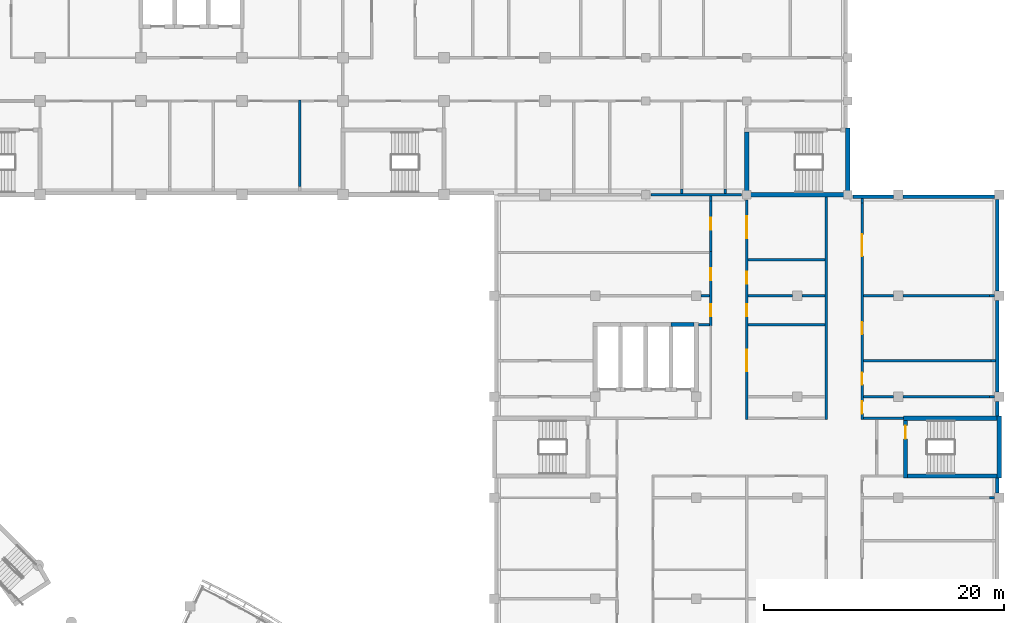
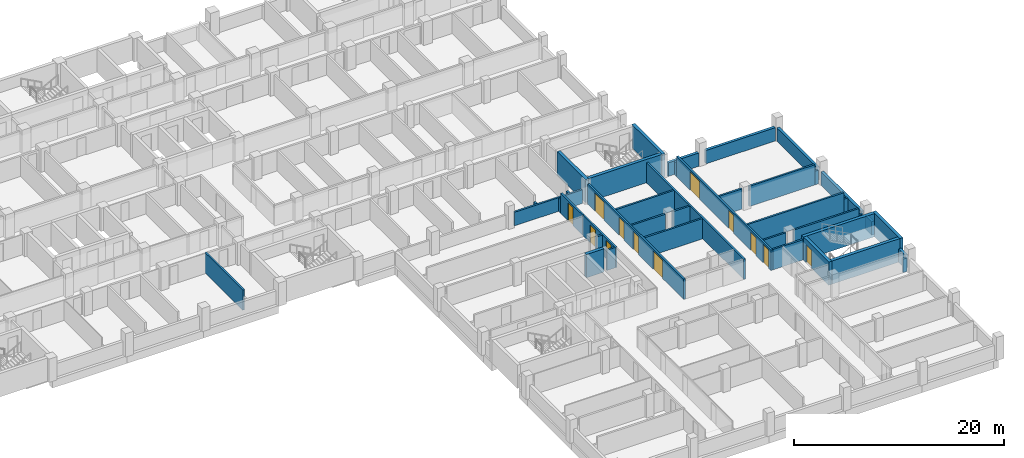
# One storey, part 57 of 89: 41 walls, 12 doors, 12 openings.
"""IFC4 building model written with IfcOpenShell, lengths in metres."""

from ifc_helpers import new_model, si_unit, direction, frame, frame_2d, origin, place, context, subcontext, project, spatial, rectangle, extrude, material, layer, layer_set, type_object, element, fill, save


model = new_model("IFC4")

# Units and contexts
model_context = context("Model", 3, precision=1e-05, world=origin(), true_north=direction((0.0, 1.0)))
body_context = subcontext(model_context, "Body", "Model", "MODEL_VIEW")
ifc_project = project(units=[si_unit("LENGTHUNIT", "METRE"), si_unit("AREAUNIT", "SQUARE_METRE"), si_unit("VOLUMEUNIT", "CUBIC_METRE"), si_unit("PLANEANGLEUNIT", "RADIAN"), si_unit("MASSUNIT", "GRAM", prefix="KILO")], contexts=[model_context])

# Site, building, storey
site_placement = place(None, origin())
site = spatial("IfcSite", under=ifc_project, at=site_placement, CompositionType="ELEMENT")
building_placement = place(site_placement, origin())
building = spatial("IfcBuilding", under=site, at=building_placement, Name="Bougainvillea Quay General Hospital", CompositionType="ELEMENT")
storey_placement = place(building_placement, frame((0.0, 0.0, 9.89990234375)))
storey = spatial("IfcBuildingStorey", under=building, at=storey_placement, Name="L01M", CompositionType="ELEMENT", Elevation=9.89990234375)

# Walls
ifc_material_1 = material(Name="Pale stone rainscreen cladding on insulated masonry backing, pale stone", Category="masonry")
ifc_layer_1 = layer(ifc_material_1, 0.300048828125)
ifc_layer_set_1 = layer_set([ifc_layer_1], Name="Pale stone rainscreen cladding on insulated masonry backing, pale stone")
wall_type_1 = type_object("IfcWallType", Name="External wall pale stone rainscreen 300", PredefinedType="STANDARD", material=ifc_layer_set_1)
wall_1_placement = place(storey_placement, frame((205.64990234375, 101.199951171875, 0.0), z_axis=(0.0, 0.0, 1.0), x_axis=(0.0, 1.0, 0.0)))
element("IfcWall", 1, at=wall_1_placement, inside=storey, type_object=wall_type_1, Name="External wall wall/V3/L01M/p0/02e", PredefinedType="STANDARD", context=body_context, shape_type="SweptSolid", body=[
    extrude(rectangle(XDim=7.60009765625, YDim=0.300048828125, at=frame_2d((3.800048828125, 0.0))), origin(), (0.0, 0.0, 1.0), 1.550048828125),
])
for number, where, z_axis, x_axis, name in (
    (2, (205.64990234375, 109.60009765625, 0.0), (0.0, 0.0, 1.0), (0.0, 1.0, 0.0), "External wall wall/V3/L01M/p0/02f"),
    (3, (205.39990234375, 117.449951171875, 0.0), (0.0, 0.0, 1.0), (-1.0, 0.0, 0.0), "External wall wall/V3/L01M/p0/03a"),
):
    element("IfcWall", number, at=place(storey_placement, frame(where, z_axis=z_axis, x_axis=x_axis)), inside=storey, type_object=wall_type_1, Name=name, PredefinedType="STANDARD", context=body_context, shape_type="SweptSolid", body=[
        extrude(rectangle(XDim=7.599853515625, YDim=0.300048828125, at=frame_2d((3.7998046875, 0.0))), origin(), (0.0, 0.0, 1.0), 1.550048828125),
    ])
wall_2_placement = place(storey_placement, frame((197.0, 117.449951171875, 0.0), z_axis=(0.0, 0.0, 1.0), x_axis=(-1.0, 0.0, 0.0)))
element("IfcWall", 4, at=wall_2_placement, inside=storey, type_object=wall_type_1, Name="External wall wall/V3/L01M/p0/03b", PredefinedType="STANDARD", context=body_context, shape_type="SweptSolid", body=[
    extrude(rectangle(XDim=3.35009765625, YDim=0.300048828125, at=frame_2d((1.675048828125, 0.0))), origin(), (0.0, 0.0, 1.0), 1.550048828125),
])
ifc_material_2 = material(Name="Terracotta rainscreen cladding on insulated masonry backing, terracotta", Category="masonry")
ifc_layer_2 = layer(ifc_material_2, 0.300048828125)
ifc_layer_set_2 = layer_set([ifc_layer_2], Name="Terracotta rainscreen cladding on insulated masonry backing, terracotta")
wall_type_2 = type_object("IfcWallType", Name="External wall terracotta rainscreen 300", PredefinedType="STANDARD", material=ifc_layer_set_2)
for number, where, z_axis, x_axis, name in (
    (5, (205.64990234375, 92.800048828125, 0.0), (0.0, 0.0, 1.0), (0.0, 1.0, 0.0), "External wall wall/V3/L01M/p0/02c"),
    (6, (205.64990234375, 99.175048828125, 0.0), (0.0, 0.0, 1.0), (0.0, 1.0, 0.0), "External wall wall/V3/L01M/p0/02d"),
):
    element("IfcWall", number, at=place(storey_placement, frame(where, z_axis=z_axis, x_axis=x_axis)), inside=storey, type_object=wall_type_2, Name=name, PredefinedType="STANDARD", context=body_context, shape_type="SweptSolid", body=[
        extrude(rectangle(XDim=1.224853515625, YDim=0.300048828125, at=frame_2d((0.6123046875, 0.0))), origin(), (0.0, 0.0, 1.0), 1.550048828125),
    ])
ifc_material_3 = material(Name="Fire-rated autoclaved aerated block wall, plastered")
ifc_layer_3 = layer(ifc_material_3, 0.199951171875)
ifc_layer_set_3 = layer_set([ifc_layer_3], Name="Fire-rated autoclaved aerated block wall, plastered")
wall_type_3 = type_object("IfcWallType", Name="Partition 200 Fire-rated autoclaved aerated block wall EI 120", PredefinedType="SOLIDWALL", material=ifc_layer_set_3)
wall_3_placement = place(storey_placement, frame((184.35009765625, 117.60009765625, 0.0), z_axis=(0.0, 0.0, 1.0), x_axis=(-1.0, 0.0, 0.0)))
element("IfcWall", 7, at=wall_3_placement, inside=storey, type_object=wall_type_3, Name="Partition 200 mm EI 120", PredefinedType="SOLIDWALL", context=body_context, shape_type="SweptSolid", body=[
    extrude(rectangle(XDim=7.5, YDim=0.199951171875, at=frame_2d((3.75, 0.0))), origin(), (0.0, 0.0, 1.0), 1.580078125),
])

# Wall, openings, doors
wall_4_placement = place(storey_placement, frame((184.800048828125, 117.14990234375, 0.0), z_axis=(0.0, 0.0, 1.0), x_axis=(0.0, -1.0, 0.0)))
wall_4 = element("IfcWall", 8, at=wall_4_placement, inside=storey, type_object=wall_type_3, Name="Partition 200 mm EI 120", PredefinedType="SOLIDWALL", context=body_context, shape_type="SweptSolid", body=[
    extrude(rectangle(XDim=18.25, YDim=0.199951171875, at=frame_2d((9.125, 0.0))), origin(), (0.0, 0.0, 1.0), 2.35009765625),
])
opening_1_placement = place(wall_4_placement, frame((12.449951171875, 0.0, 0.0)))
opening_1 = element("IfcOpeningElement", 9, at=opening_1_placement, cuts=wall_4, Name="Opening L01M.074", PredefinedType="OPENING", context=body_context, shape_type="SweptSolid", body=[
    extrude(rectangle(XDim=1.800048828125, YDim=2.10009765625, at=frame_2d((0.89990234375, 1.050048828125))), frame((0.0, 0.10986328125, 0.0), z_axis=(0.0, -1.0, 0.0), x_axis=(1.0, 0.0, 0.0)), (0.0, 0.0, 1.0), 0.219970703125),
])
opening_2_placement = place(wall_4_placement, frame((8.64990234375, 0.0, 0.0)))
opening_2 = element("IfcOpeningElement", 10, at=opening_2_placement, cuts=wall_4, Name="Opening L01M.075", PredefinedType="OPENING", context=body_context, shape_type="SweptSolid", body=[
    extrude(rectangle(XDim=1.0, YDim=2.10009765625, at=frame_2d((0.5, 1.050048828125))), frame((0.0, 0.10986328125, 0.0), z_axis=(0.0, -1.0, 0.0), x_axis=(1.0, 0.0, 0.0)), (0.0, 0.0, 1.0), 0.219970703125),
])
opening_3_placement = place(wall_4_placement, frame((5.949951171875, 0.0, 0.0)))
opening_3 = element("IfcOpeningElement", 11, at=opening_3_placement, cuts=wall_4, Name="Opening L01M.076", PredefinedType="OPENING", context=body_context, shape_type="SweptSolid", body=[
    extrude(rectangle(XDim=1.0, YDim=2.10009765625, at=frame_2d((0.5, 1.050048828125))), frame((0.0, 0.10986328125, 0.0), z_axis=(0.0, -1.0, 0.0), x_axis=(1.0, 0.0, 0.0)), (0.0, 0.0, 1.0), 0.219970703125),
])
opening_4_placement = place(wall_4_placement, frame((1.35009765625, 0.0, 0.0)))
opening_4 = element("IfcOpeningElement", 12, at=opening_4_placement, cuts=wall_4, Name="Opening L01M.077", PredefinedType="OPENING", context=body_context, shape_type="SweptSolid", body=[
    extrude(rectangle(XDim=1.800048828125, YDim=2.10009765625, at=frame_2d((0.89990234375, 1.050048828125))), frame((0.0, 0.10986328125, 0.0), z_axis=(0.0, -1.0, 0.0), x_axis=(1.0, 0.0, 0.0)), (0.0, 0.0, 1.0), 0.219970703125),
])
ifc_material_4 = material(Name="Steel fire door leaves in steel frame", Category="steel")
door_type_1 = type_object("IfcDoorType", Name="Steel double leaf door 1800x2100 FD90", OperationType="DOUBLE_DOOR_SINGLE_SWING", PredefinedType="DOOR", material=ifc_material_4)
door_1_placement = place(opening_1_placement, origin())
door_1 = element("IfcDoor", 13, at=door_1_placement, inside=storey, type_object=door_type_1, Name="DT03 L01M.074", OperationType="DOUBLE_DOOR_SINGLE_SWING", OverallHeight=2.10009765625, OverallWidth=1.800048828125, PredefinedType="DOOR", context=body_context, shape_type="SweptSolid", body=[
    extrude(rectangle(XDim=1.800048828125, YDim=2.10009765625, at=frame_2d((0.89990234375, 1.050048828125))), frame((0.0, 0.02490234375, 0.0), z_axis=(0.0, -1.0, 0.0), x_axis=(1.0, 0.0, 0.0)), (0.0, 0.0, 1.0), 0.050048828125),
])
fill(opening_1, door_1)
door_2_placement = place(opening_4_placement, origin())
door_2 = element("IfcDoor", 14, at=door_2_placement, inside=storey, type_object=door_type_1, Name="DT03 L01M.077", OperationType="DOUBLE_DOOR_SINGLE_SWING", OverallHeight=2.10009765625, OverallWidth=1.800048828125, PredefinedType="DOOR", context=body_context, shape_type="SweptSolid", body=[
    extrude(rectangle(XDim=1.800048828125, YDim=2.10009765625, at=frame_2d((0.89990234375, 1.050048828125))), frame((0.0, 0.02490234375, 0.0), z_axis=(0.0, -1.0, 0.0), x_axis=(1.0, 0.0, 0.0)), (0.0, 0.0, 1.0), 0.050048828125),
])
fill(opening_4, door_2)
ifc_material_5 = material(Name="Steel fire door leaf in steel frame", Category="steel")
door_type_2 = type_object("IfcDoorType", Name="Steel single leaf door 1000x2100 FD90", OperationType="NOTDEFINED", PredefinedType="DOOR", material=ifc_material_5)
door_3_placement = place(opening_2_placement, origin())
door_3 = element("IfcDoor", 15, at=door_3_placement, inside=storey, type_object=door_type_2, Name="DT11 L01M.075", OperationType="SINGLE_SWING_RIGHT", OverallHeight=2.10009765625, OverallWidth=1.0, PredefinedType="DOOR", context=body_context, shape_type="SweptSolid", body=[
    extrude(rectangle(XDim=1.0, YDim=2.10009765625, at=frame_2d((0.5, 1.050048828125))), frame((0.0, 0.02490234375, 0.0), z_axis=(0.0, -1.0, 0.0), x_axis=(1.0, 0.0, 0.0)), (0.0, 0.0, 1.0), 0.050048828125),
])
fill(opening_2, door_3)
door_4_placement = place(opening_3_placement, origin())
door_4 = element("IfcDoor", 16, at=door_4_placement, inside=storey, type_object=door_type_2, Name="DT11 L01M.076", OperationType="SINGLE_SWING_LEFT", OverallHeight=2.10009765625, OverallWidth=1.0, PredefinedType="DOOR", context=body_context, shape_type="SweptSolid", body=[
    extrude(rectangle(XDim=1.0, YDim=2.10009765625, at=frame_2d((0.5, 1.050048828125))), frame((0.0, 0.02490234375, 0.0), z_axis=(0.0, -1.0, 0.0), x_axis=(1.0, 0.0, 0.0)), (0.0, 0.0, 1.0), 0.050048828125),
])
fill(opening_3, door_4)

# Walls
wall_5_placement = place(storey_placement, frame((191.39990234375, 117.425048828125, 0.0), z_axis=(0.0, 0.0, 1.0), x_axis=(0.0, -1.0, 0.0)))
element("IfcWall", 17, at=wall_5_placement, inside=storey, type_object=wall_type_3, Name="Partition 200 mm EI 120", PredefinedType="SOLIDWALL", context=body_context, shape_type="SweptSolid", body=[
    extrude(rectangle(XDim=18.525146484375, YDim=0.199951171875, at=frame_2d((9.2626953125, 0.0))), origin(), (0.0, 0.0, 1.0), 2.35009765625),
])
wall_6_placement = place(storey_placement, frame((194.39990234375, 117.300048828125, 0.0), z_axis=(0.0, 0.0, 1.0), x_axis=(0.0, -1.0, 0.0)))
element("IfcWall", 18, at=wall_6_placement, inside=storey, type_object=wall_type_3, Name="Partition 200 mm EI 120", PredefinedType="SOLIDWALL", context=body_context, shape_type="SweptSolid", body=[
    extrude(rectangle(XDim=0.400146484375, YDim=0.199951171875, at=frame_2d((0.2001953125, 0.0))), origin(), (0.0, 0.0, 1.0), 1.580078125),
])

# Wall, openings, doors
wall_7_placement = place(storey_placement, frame((194.39990234375, 116.89990234375, 0.0), z_axis=(0.0, 0.0, 1.0), x_axis=(0.0, -1.0, 0.0)))
wall_7 = element("IfcWall", 19, at=wall_7_placement, inside=storey, type_object=wall_type_3, Name="Partition 200 mm EI 120", PredefinedType="SOLIDWALL", context=body_context, shape_type="SweptSolid", body=[
    extrude(rectangle(XDim=18.0, YDim=0.199951171875, at=frame_2d((9.0, 0.0))), origin(), (0.0, 0.0, 1.0), 2.35009765625),
])
opening_5_placement = place(wall_7_placement, frame((16.5, 0.0, 0.0)))
opening_5 = element("IfcOpeningElement", 20, at=opening_5_placement, cuts=wall_7, Name="Opening L01M.078", PredefinedType="OPENING", context=body_context, shape_type="SweptSolid", body=[
    extrude(rectangle(XDim=1.0, YDim=2.10009765625, at=frame_2d((0.5, 1.050048828125))), frame((0.0, 0.10986328125, 0.0), z_axis=(0.0, -1.0, 0.0), x_axis=(1.0, 0.0, 0.0)), (0.0, 0.0, 1.0), 0.219970703125),
])
opening_6_placement = place(wall_7_placement, frame((14.10009765625, 0.0, 0.0)))
opening_6 = element("IfcOpeningElement", 21, at=opening_6_placement, cuts=wall_7, Name="Opening L01M.079", PredefinedType="OPENING", context=body_context, shape_type="SweptSolid", body=[
    extrude(rectangle(XDim=1.0, YDim=2.10009765625, at=frame_2d((0.5, 1.050048828125))), frame((0.0, 0.10986328125, 0.0), z_axis=(0.0, -1.0, 0.0), x_axis=(1.0, 0.0, 0.0)), (0.0, 0.0, 1.0), 0.219970703125),
])
opening_7_placement = place(wall_7_placement, frame((9.89990234375, 0.0, 0.0)))
opening_7 = element("IfcOpeningElement", 22, at=opening_7_placement, cuts=wall_7, Name="Opening L01M.080", PredefinedType="OPENING", context=body_context, shape_type="SweptSolid", body=[
    extrude(rectangle(XDim=1.0, YDim=2.10009765625, at=frame_2d((0.5, 1.050048828125))), frame((0.0, 0.10986328125, 0.0), z_axis=(0.0, -1.0, 0.0), x_axis=(1.0, 0.0, 0.0)), (0.0, 0.0, 1.0), 0.219970703125),
])
opening_8_placement = place(wall_7_placement, frame((2.60009765625, 0.0, 0.0)))
opening_8 = element("IfcOpeningElement", 23, at=opening_8_placement, cuts=wall_7, Name="Opening L01M.081", PredefinedType="OPENING", context=body_context, shape_type="SweptSolid", body=[
    extrude(rectangle(XDim=1.800048828125, YDim=2.10009765625, at=frame_2d((0.89990234375, 1.050048828125))), frame((0.0, 0.10986328125, 0.0), z_axis=(0.0, -1.0, 0.0), x_axis=(1.0, 0.0, 0.0)), (0.0, 0.0, 1.0), 0.219970703125),
])
door_5_placement = place(opening_8_placement, origin())
door_5 = element("IfcDoor", 24, at=door_5_placement, inside=storey, type_object=door_type_1, Name="DT03 L01M.081", OperationType="DOUBLE_DOOR_SINGLE_SWING", OverallHeight=2.10009765625, OverallWidth=1.800048828125, PredefinedType="DOOR", context=body_context, shape_type="SweptSolid", body=[
    extrude(rectangle(XDim=1.800048828125, YDim=2.10009765625, at=frame_2d((0.89990234375, 1.050048828125))), frame((0.0, 0.02490234375, 0.0), z_axis=(0.0, -1.0, 0.0), x_axis=(1.0, 0.0, 0.0)), (0.0, 0.0, 1.0), 0.050048828125),
])
fill(opening_8, door_5)
door_6_placement = place(opening_5_placement, origin())
door_6 = element("IfcDoor", 25, at=door_6_placement, inside=storey, type_object=door_type_2, Name="DT11 L01M.078", OperationType="SINGLE_SWING_RIGHT", OverallHeight=2.10009765625, OverallWidth=1.0, PredefinedType="DOOR", context=body_context, shape_type="SweptSolid", body=[
    extrude(rectangle(XDim=1.0, YDim=2.10009765625, at=frame_2d((0.5, 1.050048828125))), frame((0.0, 0.02490234375, 0.0), z_axis=(0.0, -1.0, 0.0), x_axis=(1.0, 0.0, 0.0)), (0.0, 0.0, 1.0), 0.050048828125),
])
fill(opening_5, door_6)
door_7_placement = place(opening_6_placement, origin())
door_7 = element("IfcDoor", 26, at=door_7_placement, inside=storey, type_object=door_type_2, Name="DT11 L01M.079", OperationType="SINGLE_SWING_RIGHT", OverallHeight=2.10009765625, OverallWidth=1.0, PredefinedType="DOOR", context=body_context, shape_type="SweptSolid", body=[
    extrude(rectangle(XDim=1.0, YDim=2.10009765625, at=frame_2d((0.5, 1.050048828125))), frame((0.0, 0.02490234375, 0.0), z_axis=(0.0, -1.0, 0.0), x_axis=(1.0, 0.0, 0.0)), (0.0, 0.0, 1.0), 0.050048828125),
])
fill(opening_6, door_7)
door_8_placement = place(opening_7_placement, origin())
door_8 = element("IfcDoor", 27, at=door_8_placement, inside=storey, type_object=door_type_2, Name="DT11 L01M.080", OperationType="SINGLE_SWING_RIGHT", OverallHeight=2.10009765625, OverallWidth=1.0, PredefinedType="DOOR", context=body_context, shape_type="SweptSolid", body=[
    extrude(rectangle(XDim=1.0, YDim=2.10009765625, at=frame_2d((0.5, 1.050048828125))), frame((0.0, 0.02490234375, 0.0), z_axis=(0.0, -1.0, 0.0), x_axis=(1.0, 0.0, 0.0)), (0.0, 0.0, 1.0), 0.050048828125),
])
fill(opening_7, door_8)

wall_8_placement = place(storey_placement, frame((181.800048828125, 106.699951171875, 0.0), z_axis=(0.0, 0.0, 1.0), x_axis=(0.0, 1.0, 0.0)))
wall_8 = element("IfcWall", 28, at=wall_8_placement, inside=storey, type_object=wall_type_3, Name="Partition 200 mm EI 120", PredefinedType="SOLIDWALL", context=body_context, shape_type="SweptSolid", body=[
    extrude(rectangle(XDim=6.197998046875, YDim=0.199951171875, at=frame_2d((3.09912109375, 0.0))), origin(), (0.0, 0.0, 1.0), 2.35009765625),
])
opening_9_placement = place(wall_8_placement, frame((0.800048828125, 0.0, 0.0)))
opening_9 = element("IfcOpeningElement", 29, at=opening_9_placement, cuts=wall_8, Name="Opening L01M.070", PredefinedType="OPENING", context=body_context, shape_type="SweptSolid", body=[
    extrude(rectangle(XDim=1.0, YDim=2.10009765625, at=frame_2d((0.5, 1.050048828125))), frame((0.0, 0.10986328125, 0.0), z_axis=(0.0, -1.0, 0.0), x_axis=(1.0, 0.0, 0.0)), (0.0, 0.0, 1.0), 0.219970703125),
])
opening_10_placement = place(wall_8_placement, frame((3.799072265625, 0.0, 0.0)))
opening_10 = element("IfcOpeningElement", 30, at=opening_10_placement, cuts=wall_8, Name="Opening L01M.071", PredefinedType="OPENING", context=body_context, shape_type="SweptSolid", body=[
    extrude(rectangle(XDim=1.0, YDim=2.10009765625, at=frame_2d((0.5, 1.050048828125))), frame((0.0, 0.10986328125, 0.0), z_axis=(0.0, -1.0, 0.0), x_axis=(1.0, 0.0, 0.0)), (0.0, 0.0, 1.0), 0.219970703125),
])
door_9_placement = place(opening_9_placement, origin())
door_9 = element("IfcDoor", 31, at=door_9_placement, inside=storey, type_object=door_type_2, Name="DT11 L01M.070", OperationType="SINGLE_SWING_LEFT", OverallHeight=2.10009765625, OverallWidth=1.0, PredefinedType="DOOR", context=body_context, shape_type="SweptSolid", body=[
    extrude(rectangle(XDim=1.0, YDim=2.10009765625, at=frame_2d((0.5, 1.050048828125))), frame((0.0, 0.02490234375, 0.0), z_axis=(0.0, -1.0, 0.0), x_axis=(1.0, 0.0, 0.0)), (0.0, 0.0, 1.0), 0.050048828125),
])
fill(opening_9, door_9)
door_10_placement = place(opening_10_placement, origin())
door_10 = element("IfcDoor", 32, at=door_10_placement, inside=storey, type_object=door_type_2, Name="DT11 L01M.071", OperationType="SINGLE_SWING_RIGHT", OverallHeight=2.10009765625, OverallWidth=1.0, PredefinedType="DOOR", context=body_context, shape_type="SweptSolid", body=[
    extrude(rectangle(XDim=1.0, YDim=2.10009765625, at=frame_2d((0.5, 1.050048828125))), frame((0.0, 0.02490234375, 0.0), z_axis=(0.0, -1.0, 0.0), x_axis=(1.0, 0.0, 0.0)), (0.0, 0.0, 1.0), 0.050048828125),
])
fill(opening_10, door_10)

# Walls
wall_9_placement = place(storey_placement, frame((181.0, 109.199951171875, 0.0), z_axis=(0.0, 0.0, 1.0), x_axis=(1.0, 0.0, 0.0)))
element("IfcWall", 33, at=wall_9_placement, inside=storey, type_object=wall_type_3, Name="Partition 200 mm EI 120", PredefinedType="SOLIDWALL", context=body_context, shape_type="SweptSolid", body=[
    extrude(rectangle(XDim=0.699951171875, YDim=0.199951171875, at=frame_2d((0.35009765625, 0.0))), origin(), (0.0, 0.0, 1.0), 2.35009765625),
])
wall_10_placement = place(storey_placement, frame((205.0, 92.39990234375, 0.0), z_axis=(0.0, 0.0, 1.0), x_axis=(1.0, 0.0, 0.0)))
element("IfcWall", 34, at=wall_10_placement, inside=storey, type_object=wall_type_3, Name="Partition 200 mm EI 120", PredefinedType="SOLIDWALL", context=body_context, shape_type="SweptSolid", body=[
    extrude(rectangle(XDim=0.39990234375, YDim=0.199951171875, at=frame_2d((0.199951171875, 0.0))), origin(), (0.0, 0.0, 1.0), 1.580078125),
])
wall_11_placement = place(storey_placement, frame((194.5, 100.800048828125, 0.0), z_axis=(0.0, 0.0, 1.0), x_axis=(1.0, 0.0, 0.0)))
element("IfcWall", 35, at=wall_11_placement, inside=storey, type_object=wall_type_3, Name="Partition 200 mm EI 120", PredefinedType="SOLIDWALL", context=body_context, shape_type="SweptSolid", body=[
    extrude(rectangle(XDim=2.5, YDim=0.199951171875, at=frame_2d((1.25, 0.0))), origin(), (0.0, 0.0, 1.0), 2.35009765625),
])
wall_12_placement = place(storey_placement, frame((197.800048828125, 100.800048828125, 0.0), z_axis=(0.0, 0.0, 1.0), x_axis=(1.0, 0.0, 0.0)))
element("IfcWall", 36, at=wall_12_placement, inside=storey, type_object=wall_type_3, Name="Partition 200 mm EI 120", PredefinedType="SOLIDWALL", context=body_context, shape_type="SweptSolid", body=[
    extrude(rectangle(XDim=7.199951171875, YDim=0.199951171875, at=frame_2d((3.60009765625, 0.0))), origin(), (0.0, 0.0, 1.0), 2.35009765625),
])
wall_13_placement = place(storey_placement, frame((205.0, 100.800048828125, 0.0), z_axis=(0.0, 0.0, 1.0), x_axis=(1.0, 0.0, 0.0)))
element("IfcWall", 37, at=wall_13_placement, inside=storey, type_object=wall_type_3, Name="Partition 200 mm EI 120", PredefinedType="SOLIDWALL", context=body_context, shape_type="SweptSolid", body=[
    extrude(rectangle(XDim=0.39990234375, YDim=0.199951171875, at=frame_2d((0.199951171875, 0.0))), origin(), (0.0, 0.0, 1.0), 1.580078125),
])
wall_14_placement = place(storey_placement, frame((194.5, 103.800048828125, 0.0), z_axis=(0.0, 0.0, 1.0), x_axis=(1.0, 0.0, 0.0)))
element("IfcWall", 38, at=wall_14_placement, inside=storey, type_object=wall_type_3, Name="Partition 200 mm EI 120", PredefinedType="SOLIDWALL", context=body_context, shape_type="SweptSolid", body=[
    extrude(rectangle(XDim=10.60009765625, YDim=0.199951171875, at=frame_2d((5.300048828125, 0.0))), origin(), (0.0, 0.0, 1.0), 2.35009765625),
])
wall_15_placement = place(storey_placement, frame((205.10009765625, 103.800048828125, 0.0), z_axis=(0.0, 0.0, 1.0), x_axis=(1.0, 0.0, 0.0)))
element("IfcWall", 39, at=wall_15_placement, inside=storey, type_object=wall_type_3, Name="Partition 200 mm EI 120", PredefinedType="SOLIDWALL", context=body_context, shape_type="SweptSolid", body=[
    extrude(rectangle(XDim=0.39990234375, YDim=0.199951171875, at=frame_2d((0.199951171875, 0.0))), origin(), (0.0, 0.0, 1.0), 1.580078125),
])
wall_16_placement = place(storey_placement, frame((194.5, 109.199951171875, 0.0), z_axis=(0.0, 0.0, 1.0), x_axis=(1.0, 0.0, 0.0)))
element("IfcWall", 40, at=wall_16_placement, inside=storey, type_object=wall_type_3, Name="Partition 200 mm EI 120", PredefinedType="SOLIDWALL", context=body_context, shape_type="SweptSolid", body=[
    extrude(rectangle(XDim=2.5, YDim=0.199951171875, at=frame_2d((1.25, 0.0))), origin(), (0.0, 0.0, 1.0), 2.35009765625),
])
wall_17_placement = place(storey_placement, frame((197.800048828125, 109.199951171875, 0.0), z_axis=(0.0, 0.0, 1.0), x_axis=(1.0, 0.0, 0.0)))
element("IfcWall", 41, at=wall_17_placement, inside=storey, type_object=wall_type_3, Name="Partition 200 mm EI 120", PredefinedType="SOLIDWALL", context=body_context, shape_type="SweptSolid", body=[
    extrude(rectangle(XDim=7.199951171875, YDim=0.199951171875, at=frame_2d((3.60009765625, 0.0))), origin(), (0.0, 0.0, 1.0), 2.35009765625),
])
wall_18_placement = place(storey_placement, frame((205.0, 109.199951171875, 0.0), z_axis=(0.0, 0.0, 1.0), x_axis=(1.0, 0.0, 0.0)))
element("IfcWall", 42, at=wall_18_placement, inside=storey, type_object=wall_type_3, Name="Partition 200 mm EI 120", PredefinedType="SOLIDWALL", context=body_context, shape_type="SweptSolid", body=[
    extrude(rectangle(XDim=0.39990234375, YDim=0.199951171875, at=frame_2d((0.199951171875, 0.0))), origin(), (0.0, 0.0, 1.0), 1.580078125),
])
wall_19_placement = place(storey_placement, frame((197.824951171875, 99.0, 0.0), z_axis=(0.0, 0.0, 1.0), x_axis=(-1.0, 0.0, 0.0)))
element("IfcWall", 43, at=wall_19_placement, inside=storey, type_object=wall_type_3, Name="Partition 200 mm EI 120", PredefinedType="SOLIDWALL", context=body_context, shape_type="SweptSolid", body=[
    extrude(rectangle(XDim=3.324951171875, YDim=0.199951171875, at=frame_2d((1.66259765625, 0.0))), origin(), (0.0, 0.0, 1.0), 2.35009765625),
])
wall_20_placement = place(storey_placement, frame((180.77490234375, 106.800048828125, 0.0), z_axis=(0.0, 0.0, 1.0), x_axis=(1.0, 0.0, 0.0)))
element("IfcWall", 44, at=wall_20_placement, inside=storey, type_object=wall_type_3, Name="Partition 200 mm EI 120", PredefinedType="SOLIDWALL", context=body_context, shape_type="SweptSolid", body=[
    extrude(rectangle(XDim=0.925048828125, YDim=0.199951171875, at=frame_2d((0.46240234375, 0.0))), origin(), (0.0, 0.0, 1.0), 2.35009765625),
])
for number, where, z_axis, x_axis, name in (
    (45, (179.39794921875, 117.699951171875, 0.0), (0.0, 0.0, 1.0), (0.0, 1.0, 0.0), "Partition 200 mm EI 120"),
    (46, (182.998046875, 117.699951171875, 0.0), (0.0, 0.0, 1.0), (0.0, 1.0, 0.0), "Partition 200 mm EI 120"),
):
    element("IfcWall", number, at=place(storey_placement, frame(where, z_axis=z_axis, x_axis=x_axis)), inside=storey, type_object=wall_type_3, Name=name, PredefinedType="SOLIDWALL", context=body_context, shape_type="SweptSolid", body=[
        extrude(rectangle(XDim=0.400146484375, YDim=0.199951171875, at=frame_2d((0.2001953125, 0.0))), origin(), (0.0, 0.0, 1.0), 1.580078125),
    ])
wall_21_placement = place(storey_placement, frame((184.89990234375, 106.800048828125, 0.0), z_axis=(0.0, 0.0, 1.0), x_axis=(1.0, 0.0, 0.0)))
element("IfcWall", 47, at=wall_21_placement, inside=storey, type_object=wall_type_3, Name="Partition 200 mm EI 120", PredefinedType="SOLIDWALL", context=body_context, shape_type="SweptSolid", body=[
    extrude(rectangle(XDim=6.400146484375, YDim=0.199951171875, at=frame_2d((3.2001953125, 0.0))), origin(), (0.0, 0.0, 1.0), 2.35009765625),
])
wall_22_placement = place(storey_placement, frame((184.89990234375, 109.199951171875, 0.0), z_axis=(0.0, 0.0, 1.0), x_axis=(1.0, 0.0, 0.0)))
element("IfcWall", 48, at=wall_22_placement, inside=storey, type_object=wall_type_3, Name="Partition 200 mm EI 120", PredefinedType="SOLIDWALL", context=body_context, shape_type="SweptSolid", body=[
    extrude(rectangle(XDim=3.7001953125, YDim=0.199951171875, at=frame_2d((1.85009765625, 0.0))), origin(), (0.0, 0.0, 1.0), 2.35009765625),
])
wall_23_placement = place(storey_placement, frame((189.39990234375, 109.199951171875, 0.0), z_axis=(0.0, 0.0, 1.0), x_axis=(1.0, 0.0, 0.0)))
element("IfcWall", 49, at=wall_23_placement, inside=storey, type_object=wall_type_3, Name="Partition 200 mm EI 120", PredefinedType="SOLIDWALL", context=body_context, shape_type="SweptSolid", body=[
    extrude(rectangle(XDim=1.900146484375, YDim=0.199951171875, at=frame_2d((0.9501953125, 0.0))), origin(), (0.0, 0.0, 1.0), 2.35009765625),
])
wall_24_placement = place(storey_placement, frame((184.89990234375, 112.199951171875, 0.0), z_axis=(0.0, 0.0, 1.0), x_axis=(1.0, 0.0, 0.0)))
element("IfcWall", 50, at=wall_24_placement, inside=storey, type_object=wall_type_3, Name="Partition 200 mm EI 120", PredefinedType="SOLIDWALL", context=body_context, shape_type="SweptSolid", body=[
    extrude(rectangle(XDim=6.400146484375, YDim=0.199951171875, at=frame_2d((3.2001953125, 0.0))), origin(), (0.0, 0.0, 1.0), 2.35009765625),
])
ifc_layer_4 = layer(ifc_material_3, 0.199951171875)
ifc_layer_set_4 = layer_set([ifc_layer_4], Name="Fire-rated autoclaved aerated block wall, plastered")
wall_type_4 = type_object("IfcWallType", Name="Partition 200 Fire-rated autoclaved aerated block wall EI 60", PredefinedType="SOLIDWALL", material=ifc_layer_set_4)
wall_25_placement = place(storey_placement, frame((147.597900390625, 118.300048828125, 0.0), z_axis=(0.0, 0.0, 1.0), x_axis=(0.0, 1.0, 0.0)))
element("IfcWall", 51, at=wall_25_placement, inside=storey, type_object=wall_type_4, Name="Partition 200 mm EI 60", PredefinedType="SOLIDWALL", context=body_context, shape_type="SweptSolid", body=[
    extrude(rectangle(XDim=7.199951171875, YDim=0.199951171875, at=frame_2d((3.60009765625, 0.0))), origin(), (0.0, 0.0, 1.0), 2.35009765625),
])

# Wall, opening, door
wall_26_placement = place(storey_placement, frame((181.800048828125, 112.89794921875, 0.0), z_axis=(0.0, 0.0, 1.0), x_axis=(0.0, 1.0, 0.0)))
wall_26 = element("IfcWall", 52, at=wall_26_placement, inside=storey, type_object=wall_type_4, Name="Partition 200 mm EI 60", PredefinedType="SOLIDWALL", context=body_context, shape_type="SweptSolid", body=[
    extrude(rectangle(XDim=4.2021484375, YDim=0.199951171875, at=frame_2d((2.10107421875, 0.0))), origin(), (0.0, 0.0, 1.0), 2.35009765625),
])
opening_11_placement = place(wall_26_placement, frame((1.801025390625, 0.0, 0.0)))
opening_11 = element("IfcOpeningElement", 53, at=opening_11_placement, cuts=wall_26, Name="Opening L01M.072", PredefinedType="OPENING", context=body_context, shape_type="SweptSolid", body=[
    extrude(rectangle(XDim=1.0, YDim=2.10009765625, at=frame_2d((0.5, 1.050048828125))), frame((0.0, 0.10986328125, 0.0), z_axis=(0.0, -1.0, 0.0), x_axis=(1.0, 0.0, 0.0)), (0.0, 0.0, 1.0), 0.219970703125),
])
door_type_3 = type_object("IfcDoorType", Name="Steel single leaf door 1000x2100 FD60", OperationType="NOTDEFINED", PredefinedType="DOOR", material=ifc_material_5)
door_11_placement = place(opening_11_placement, origin())
door_11 = element("IfcDoor", 54, at=door_11_placement, inside=storey, type_object=door_type_3, Name="DT10 L01M.072", OperationType="SINGLE_SWING_RIGHT", OverallHeight=2.10009765625, OverallWidth=1.0, PredefinedType="DOOR", context=body_context, shape_type="SweptSolid", body=[
    extrude(rectangle(XDim=1.0, YDim=2.10009765625, at=frame_2d((0.5, 1.050048828125))), frame((0.0, 0.02490234375, 0.0), z_axis=(0.0, -1.0, 0.0), x_axis=(1.0, 0.0, 0.0)), (0.0, 0.0, 1.0), 0.050048828125),
])
fill(opening_11, door_11)

# Walls
wall_27_placement = place(storey_placement, frame((181.800048828125, 117.10009765625, 0.0), z_axis=(0.0, 0.0, 1.0), x_axis=(0.0, 1.0, 0.0)))
element("IfcWall", 55, at=wall_27_placement, inside=storey, type_object=wall_type_4, Name="Partition 200 mm EI 60", PredefinedType="SOLIDWALL", context=body_context, shape_type="SweptSolid", body=[
    extrude(rectangle(XDim=0.39990234375, YDim=0.199951171875, at=frame_2d((0.199951171875, 0.0))), origin(), (0.0, 0.0, 1.0), 1.580078125),
])
ifc_material_6 = material(Name="Concrete C40", Category="concrete")
ifc_layer_5 = layer(ifc_material_6, 0.35009765625)
ifc_layer_set_5 = layer_set([ifc_layer_5], Name="Concrete C40")
wall_type_5 = type_object("IfcWallType", Name="RC SHEAR WALL 350 C40", PredefinedType="SHEAR", material=ifc_layer_set_5)
wall_28_placement = place(storey_placement, frame((178.5, 106.800048828125, 0.0), z_axis=(0.0, 0.0, 1.0), x_axis=(1.0, 0.0, 0.0)))
element("IfcWall", 56, at=wall_28_placement, inside=storey, type_object=wall_type_5, Name="Shear wall L01M", PredefinedType="SHEAR", context=body_context, shape_type="SweptSolid", body=[
    extrude(rectangle(XDim=1.925048828125, YDim=0.35009765625, at=frame_2d((0.96240234375, 0.0))), origin(), (0.0, 0.0, 1.0), 2.7001953125),
])
wall_29_placement = place(storey_placement, frame((184.800048828125, 117.425048828125, 0.0), z_axis=(0.0, 0.0, 1.0), x_axis=(0.0, 1.0, 0.0)))
element("IfcWall", 57, at=wall_29_placement, inside=storey, type_object=wall_type_5, Name="Shear wall L01M", PredefinedType="SHEAR", context=body_context, shape_type="SweptSolid", body=[
    extrude(rectangle(XDim=5.39990234375, YDim=0.35009765625, at=frame_2d((2.699951171875, 0.0))), origin(), (0.0, 0.0, 1.0), 2.7001953125),
])
wall_30_placement = place(storey_placement, frame((184.97509765625, 117.60009765625, 0.0), z_axis=(0.0, 0.0, 1.0), x_axis=(1.0, 0.0, 0.0)))
element("IfcWall", 58, at=wall_30_placement, inside=storey, type_object=wall_type_5, Name="Shear wall L01M", PredefinedType="SHEAR", context=body_context, shape_type="SweptSolid", body=[
    extrude(rectangle(XDim=8.0498046875, YDim=0.35009765625, at=frame_2d((4.02490234375, 0.0))), origin(), (0.0, 0.0, 1.0), 2.7001953125),
])
wall_31_placement = place(storey_placement, frame((193.199951171875, 117.425048828125, 0.0), z_axis=(0.0, 0.0, 1.0), x_axis=(0.0, 1.0, 0.0)))
element("IfcWall", 59, at=wall_31_placement, inside=storey, type_object=wall_type_5, Name="Shear wall L01M", PredefinedType="SHEAR", context=body_context, shape_type="SweptSolid", body=[
    extrude(rectangle(XDim=5.75, YDim=0.35009765625, at=frame_2d((2.875, 0.0))), origin(), (0.0, 0.0, 1.0), 2.7001953125),
])
wall_32_placement = place(storey_placement, frame((197.824951171875, 99.0, 0.0), z_axis=(0.0, 0.0, 1.0), x_axis=(1.0, 0.0, 0.0)))
element("IfcWall", 60, at=wall_32_placement, inside=storey, type_object=wall_type_5, Name="Shear wall L01M", PredefinedType="SHEAR", context=body_context, shape_type="SweptSolid", body=[
    extrude(rectangle(XDim=7.800048828125, YDim=0.35009765625, at=frame_2d((3.89990234375, 0.0))), origin(), (0.0, 0.0, 1.0), 2.7001953125),
])

# Wall, opening, door
wall_33_placement = place(storey_placement, frame((198.0, 94.02490234375, 0.0), z_axis=(0.0, 0.0, 1.0), x_axis=(0.0, 1.0, 0.0)))
wall_33 = element("IfcWall", 61, at=wall_33_placement, inside=storey, type_object=wall_type_5, Name="Shear wall L01M", PredefinedType="SHEAR", context=body_context, shape_type="SweptSolid", body=[
    extrude(rectangle(XDim=4.800048828125, YDim=0.35009765625, at=frame_2d((2.39990234375, 0.0))), origin(), (0.0, 0.0, 1.0), 2.7001953125),
])
opening_12_placement = place(wall_33_placement, frame((3.27490234375, 0.0, 0.0)))
opening_12 = element("IfcOpeningElement", 62, at=opening_12_placement, cuts=wall_33, Name="Opening L01M.030", PredefinedType="OPENING", context=body_context, shape_type="SweptSolid", body=[
    extrude(rectangle(XDim=1.10009765625, YDim=2.10009765625, at=frame_2d((0.550048828125, 1.050048828125))), frame((0.0, 0.18505859375, 0.0), z_axis=(0.0, -1.0, 0.0), x_axis=(1.0, 0.0, 0.0)), (0.0, 0.0, 1.0), 0.3701171875),
])
door_type_4 = type_object("IfcDoorType", Name="Steel single leaf door 1100x2100 FD60", OperationType="NOTDEFINED", PredefinedType="DOOR", material=ifc_material_5)
door_12_placement = place(opening_12_placement, frame((1.10009765625, 0.0, 0.0), z_axis=(0.0, 0.0, 1.0), x_axis=(-1.0, 0.0, 0.0)))
door_12 = element("IfcDoor", 63, at=door_12_placement, inside=storey, type_object=door_type_4, Name="DT04 L01M.030", OperationType="SINGLE_SWING_LEFT", OverallHeight=2.10009765625, OverallWidth=1.10009765625, PredefinedType="DOOR", context=body_context, shape_type="SweptSolid", body=[
    extrude(rectangle(XDim=1.10009765625, YDim=2.10009765625, at=frame_2d((0.550048828125, 1.050048828125))), frame((0.0, 0.02490234375, 0.0), z_axis=(0.0, -1.0, 0.0), x_axis=(1.0, 0.0, 0.0)), (0.0, 0.0, 1.0), 0.050048828125),
])
fill(opening_12, door_12)

# Walls
wall_34_placement = place(storey_placement, frame((198.175048828125, 94.199951171875, 0.0), z_axis=(0.0, 0.0, 1.0), x_axis=(1.0, 0.0, 0.0)))
element("IfcWall", 64, at=wall_34_placement, inside=storey, type_object=wall_type_5, Name="Shear wall L01M", PredefinedType="SHEAR", context=body_context, shape_type="SweptSolid", body=[
    extrude(rectangle(XDim=7.449951171875, YDim=0.35009765625, at=frame_2d((3.72509765625, 0.0))), origin(), (0.0, 0.0, 1.0), 2.7001953125),
])
wall_35_placement = place(storey_placement, frame((205.800048828125, 94.02490234375, 0.0), z_axis=(0.0, 0.0, 1.0), x_axis=(0.0, 1.0, 0.0)))
element("IfcWall", 65, at=wall_35_placement, inside=storey, type_object=wall_type_5, Name="Shear wall L01M", PredefinedType="SHEAR", context=body_context, shape_type="SweptSolid", body=[
    extrude(rectangle(XDim=5.150146484375, YDim=0.35009765625, at=frame_2d((2.5751953125, 0.0))), origin(), (0.0, 0.0, 1.0), 2.7001953125),
])

save(model, "model.ifc")
